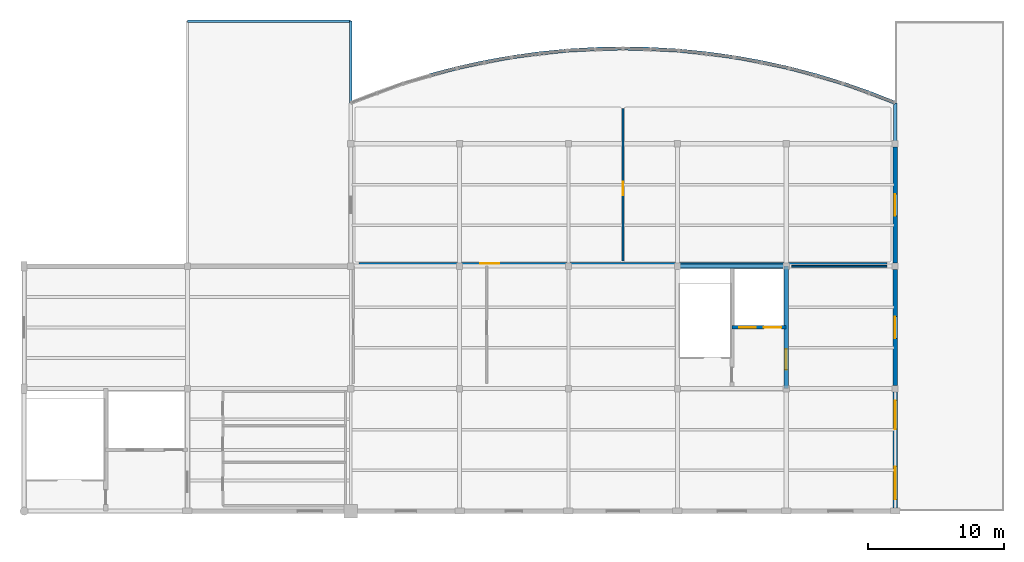
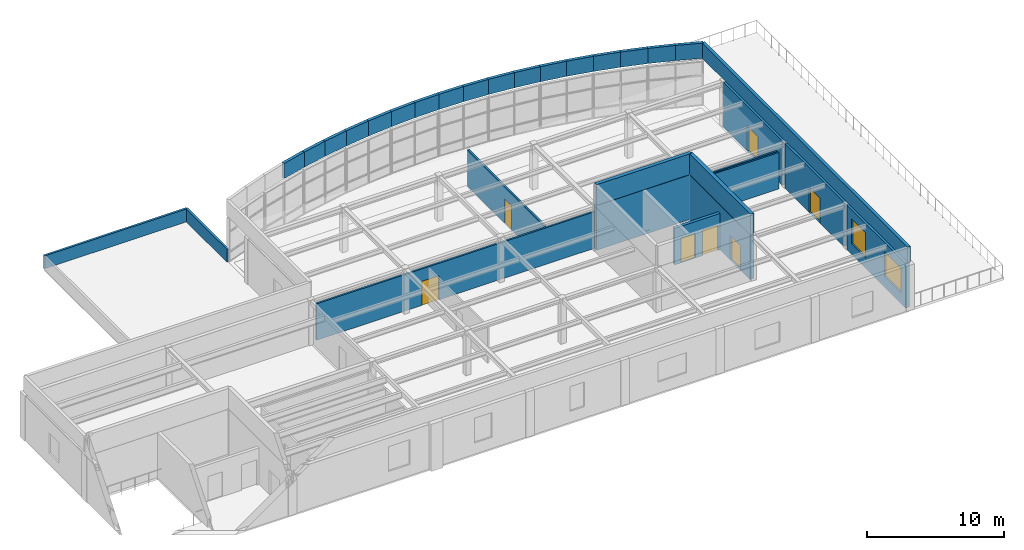
# One storey, part 8 of 9: 31 walls, 7 doors, 2 windows, 9 openings.
"""IFC4 building model written with IfcOpenShell, lengths in metres."""

from ifc_helpers import new_model, si_unit, direction, frame, frame_2d, origin, place, context, subcontext, project, spatial, rectangle, extrude, material, layer, layer_set, type_object, element, fill, save


model = new_model("IFC4")

# Units and contexts
model_context = context("Model", 3, precision=1e-05, world=origin(), true_north=direction((0.0, 1.0)))
body_context = subcontext(model_context, "Body", "Model", "MODEL_VIEW")
ifc_project = project(units=[si_unit("LENGTHUNIT", "METRE"), si_unit("AREAUNIT", "SQUARE_METRE"), si_unit("VOLUMEUNIT", "CUBIC_METRE"), si_unit("PLANEANGLEUNIT", "RADIAN"), si_unit("MASSUNIT", "GRAM", prefix="KILO")], contexts=[model_context])

# Site, building, storey
site_placement = place(None, origin())
site = spatial("IfcSite", under=ifc_project, at=site_placement, CompositionType="ELEMENT")
building_placement = place(site_placement, origin())
building = spatial("IfcBuilding", under=site, at=building_placement, Name="Keelwater Ferry Terminal", CompositionType="ELEMENT")
storey_placement = place(building_placement, frame((0.0, 0.0, 23.699951171875)))
storey = spatial("IfcBuildingStorey", under=building, at=storey_placement, Name="L05", CompositionType="ELEMENT", Elevation=23.699951171875)

# Wall, openings, windows
ifc_material_1 = material(Name="Precast concrete C40/50", Category="concrete")
ifc_layer_1 = layer(ifc_material_1, 0.320068359375)
ifc_layer_set_1 = layer_set([ifc_layer_1], Name="Precast concrete C40/50")
wall_type_1 = type_object("IfcWallType", Name="EW-TC320 External Solid Wall 320", PredefinedType="SOLIDWALL", material=ifc_layer_set_1)
wall_1_placement = place(storey_placement, frame((172.0, 90.22509765625, 0.0), z_axis=(0.0, 0.0, 1.0), x_axis=(0.0, 1.0, 0.0)))
wall_1 = element("IfcWall", 1, at=wall_1_placement, inside=storey, type_object=wall_type_1, Name="External Wall WL-L05-0142", PredefinedType="SOLIDWALL", context=body_context, shape_type="SweptSolid", body=[
    extrude(rectangle(XDim=8.5498046875, YDim=0.320068359375, at=frame_2d((4.27490234375, 0.0))), origin(), (0.0, 0.0, 1.0), 3.97998046875),
])
opening_1_placement = place(wall_1_placement, frame((0.64990234375, 0.0, 0.949951171875)))
opening_1 = element("IfcOpeningElement", 2, at=opening_1_placement, cuts=wall_1, Name="Opening WN-01", PredefinedType="OPENING", context=body_context, shape_type="SweptSolid", body=[
    extrude(rectangle(XDim=2.39990234375, YDim=2.199951171875, at=frame_2d((1.199951171875, 1.10009765625))), frame((0.0, 0.170166015625, 0.0), z_axis=(0.0, -1.0, 0.0), x_axis=(1.0, 0.0, 0.0)), (0.0, 0.0, 1.0), 0.340087890625),
])
opening_2_placement = place(wall_1_placement, frame((5.800048828125, 0.0, 0.949951171875)))
opening_2 = element("IfcOpeningElement", 3, at=opening_2_placement, cuts=wall_1, Name="Opening WN-02", PredefinedType="OPENING", context=body_context, shape_type="SweptSolid", body=[
    extrude(rectangle(XDim=2.10009765625, YDim=2.199951171875, at=frame_2d((1.050048828125, 1.10009765625))), frame((0.0, 0.170166015625, 0.0), z_axis=(0.0, -1.0, 0.0), x_axis=(1.0, 0.0, 0.0)), (0.0, 0.0, 1.0), 0.340087890625),
])
ifc_material_2 = material(Name="Triple low-E glass in thermally broken aluminium frame", Category="aluminium")
window_type_1 = type_object("IfcWindowType", Name="WN-01 Exterior Window 2400x2200", PartitioningType="SINGLE_PANEL", PredefinedType="WINDOW", material=ifc_material_2)
window_1_placement = place(opening_1_placement, origin())
window_1 = element("IfcWindow", 4, at=window_1_placement, inside=storey, type_object=window_type_1, Name="Window WN-L05-0100", OverallHeight=2.199951171875, OverallWidth=2.39990234375, PartitioningType="SINGLE_PANEL", PredefinedType="WINDOW", context=body_context, shape_type="SweptSolid", body=[
    extrude(rectangle(XDim=2.39990234375, YDim=2.199951171875, at=frame_2d((1.199951171875, 1.10009765625))), frame((0.0, 0.030029296875, 0.0), z_axis=(0.0, -1.0, 0.0), x_axis=(1.0, 0.0, 0.0)), (0.0, 0.0, 1.0), 0.06005859375),
])
fill(opening_1, window_1)
ifc_material_3 = material(Name="Triple low-E glass in thermally broken aluminium frame", Category="aluminium")
window_type_2 = type_object("IfcWindowType", Name="WN-02 Exterior Window 2100x2200", PartitioningType="SINGLE_PANEL", PredefinedType="WINDOW", material=ifc_material_3)
window_2_placement = place(opening_2_placement, origin())
window_2 = element("IfcWindow", 5, at=window_2_placement, inside=storey, type_object=window_type_2, Name="Window WN-L05-0101", OverallHeight=2.199951171875, OverallWidth=2.10009765625, PartitioningType="SINGLE_PANEL", PredefinedType="WINDOW", context=body_context, shape_type="SweptSolid", body=[
    extrude(rectangle(XDim=2.10009765625, YDim=2.199951171875, at=frame_2d((1.050048828125, 1.10009765625))), frame((0.0, 0.030029296875, 0.0), z_axis=(0.0, -1.0, 0.0), x_axis=(1.0, 0.0, 0.0)), (0.0, 0.0, 1.0), 0.06005859375),
])
fill(opening_2, window_2)

# Wall, opening, door
wall_2_placement = place(storey_placement, frame((172.0, 99.22509765625, 0.0), z_axis=(0.0, 0.0, 1.0), x_axis=(0.0, 1.0, 0.0)))
wall_2 = element("IfcWall", 6, at=wall_2_placement, inside=storey, type_object=wall_type_1, Name="External Wall WL-L05-0143", PredefinedType="SOLIDWALL", context=body_context, shape_type="SweptSolid", body=[
    extrude(rectangle(XDim=8.5498046875, YDim=0.320068359375, at=frame_2d((4.27490234375, 0.0))), origin(), (0.0, 0.0, 1.0), 3.97998046875),
])
opening_3_placement = place(wall_2_placement, frame((3.47509765625, 0.0, 0.0)))
opening_3 = element("IfcOpeningElement", 7, at=opening_3_placement, cuts=wall_2, Name="Opening TD-12", PredefinedType="OPENING", context=body_context, shape_type="SweptSolid", body=[
    extrude(rectangle(XDim=1.60009765625, YDim=2.199951171875, at=frame_2d((0.800048828125, 1.10009765625))), frame((0.0, 0.170166015625, 0.0), z_axis=(0.0, -1.0, 0.0), x_axis=(1.0, 0.0, 0.0)), (0.0, 0.0, 1.0), 0.340087890625),
])
ifc_material_4 = material(Name="Anodised aluminium and laminated safety glass", Category="aluminium")
door_type_1 = type_object("IfcDoorType", Name="TD-T2 Pedestrian Door 1600x2200", OperationType="DOUBLE_DOOR_SINGLE_SWING", PredefinedType="DOOR", material=ifc_material_4)
door_1_placement = place(opening_3_placement, origin())
door_1 = element("IfcDoor", 8, at=door_1_placement, inside=storey, type_object=door_type_1, Name="Door TD-12", OperationType="DOUBLE_DOOR_SINGLE_SWING", OverallHeight=2.199951171875, OverallWidth=1.60009765625, PredefinedType="DOOR", context=body_context, shape_type="SweptSolid", body=[
    extrude(rectangle(XDim=1.60009765625, YDim=2.199951171875, at=frame_2d((0.800048828125, 1.10009765625))), frame((0.0, 0.02490234375, 0.0), z_axis=(0.0, -1.0, 0.0), x_axis=(1.0, 0.0, 0.0)), (0.0, 0.0, 1.0), 0.050048828125),
])
fill(opening_3, door_1)

wall_3_placement = place(storey_placement, frame((172.0, 108.22509765625, 0.0), z_axis=(0.0, 0.0, 1.0), x_axis=(0.0, 1.0, 0.0)))
wall_3 = element("IfcWall", 9, at=wall_3_placement, inside=storey, type_object=wall_type_1, Name="External Wall WL-L05-0144", PredefinedType="SOLIDWALL", context=body_context, shape_type="SweptSolid", body=[
    extrude(rectangle(XDim=8.5498046875, YDim=0.320068359375, at=frame_2d((4.27490234375, 0.0))), origin(), (0.0, 0.0, 1.0), 3.97998046875),
])
opening_4_placement = place(wall_3_placement, frame((3.47509765625, 0.0, 0.0)))
opening_4 = element("IfcOpeningElement", 10, at=opening_4_placement, cuts=wall_3, Name="Opening TD-13", PredefinedType="OPENING", context=body_context, shape_type="SweptSolid", body=[
    extrude(rectangle(XDim=1.60009765625, YDim=2.199951171875, at=frame_2d((0.800048828125, 1.10009765625))), frame((0.0, 0.170166015625, 0.0), z_axis=(0.0, -1.0, 0.0), x_axis=(1.0, 0.0, 0.0)), (0.0, 0.0, 1.0), 0.340087890625),
])
door_2_placement = place(opening_4_placement, origin())
door_2 = element("IfcDoor", 11, at=door_2_placement, inside=storey, type_object=door_type_1, Name="Door TD-13", OperationType="DOUBLE_DOOR_SINGLE_SWING", OverallHeight=2.199951171875, OverallWidth=1.60009765625, PredefinedType="DOOR", context=body_context, shape_type="SweptSolid", body=[
    extrude(rectangle(XDim=1.60009765625, YDim=2.199951171875, at=frame_2d((0.800048828125, 1.10009765625))), frame((0.0, 0.02490234375, 0.0), z_axis=(0.0, -1.0, 0.0), x_axis=(1.0, 0.0, 0.0)), (0.0, 0.0, 1.0), 0.050048828125),
])
fill(opening_4, door_2)

# Wall, openings, doors
ifc_material_5 = material(Name="Concrete C40/50", Category="concrete")
ifc_layer_2 = layer(ifc_material_5, 0.25)
ifc_layer_set_2 = layer_set([ifc_layer_2], Name="Concrete C40/50")
wall_type_2 = type_object("IfcWallType", Name="IW-250 Solid Wall 250", PredefinedType="SOLIDWALL", material=ifc_layer_set_2)
wall_4_placement = place(storey_placement, frame((164.0, 103.5, 0.0), z_axis=(0.0, 0.0, 1.0), x_axis=(-1.0, 0.0, 0.0)))
wall_4 = element("IfcWall", 12, at=wall_4_placement, inside=storey, type_object=wall_type_2, Name="Interior Wall WL-INT-L05-0090", PredefinedType="SOLIDWALL", context=body_context, shape_type="SweptSolid", body=[
    extrude(rectangle(XDim=4.0, YDim=0.25, at=frame_2d((2.0, 0.0))), origin(), (0.0, 0.0, 1.0), 3.25),
])
opening_5_placement = place(wall_4_placement, frame((0.35009765625, 0.0, 0.0)))
opening_5 = element("IfcOpeningElement", 13, at=opening_5_placement, cuts=wall_4, Name="Opening LD-029", PredefinedType="OPENING", context=body_context, shape_type="SweptSolid", body=[
    extrude(rectangle(XDim=1.300048828125, YDim=2.25, at=frame_2d((0.64990234375, 1.125))), frame((0.0, 0.135009765625, 0.0), z_axis=(0.0, -1.0, 0.0), x_axis=(1.0, 0.0, 0.0)), (0.0, 0.0, 1.0), 0.27001953125),
])
opening_6_placement = place(wall_4_placement, frame((2.25, 0.0, 0.0)))
opening_6 = element("IfcOpeningElement", 14, at=opening_6_placement, cuts=wall_4, Name="Opening LD-030", PredefinedType="OPENING", context=body_context, shape_type="SweptSolid", body=[
    extrude(rectangle(XDim=1.199951171875, YDim=2.199951171875, at=frame_2d((0.60009765625, 1.10009765625))), frame((0.0, 0.135009765625, 0.0), z_axis=(0.0, -1.0, 0.0), x_axis=(1.0, 0.0, 0.0)), (0.0, 0.0, 1.0), 0.27001953125),
])
ifc_material_6 = material(Name="Stainless steel sliding landing doors", Category="steel")
door_type_2 = type_object("IfcDoorType", Name="LD-T2 Lift Landing Door 1200x2200", OperationType="DOUBLE_DOOR_SLIDING", PredefinedType="USERDEFINED", material=ifc_material_6)
door_3_placement = place(opening_6_placement, origin())
door_3 = element("IfcDoor", 15, at=door_3_placement, inside=storey, type_object=door_type_2, Name="Door LD-030", ObjectType="LANDING DOOR", OperationType="DOUBLE_DOOR_SLIDING", OverallHeight=2.199951171875, OverallWidth=1.199951171875, PredefinedType="USERDEFINED", context=body_context, shape_type="SweptSolid", body=[
    extrude(rectangle(XDim=1.199951171875, YDim=2.199951171875, at=frame_2d((0.60009765625, 1.10009765625))), frame((0.0, 0.02490234375, 0.0), z_axis=(0.0, -1.0, 0.0), x_axis=(1.0, 0.0, 0.0)), (0.0, 0.0, 1.0), 0.050048828125),
])
fill(opening_6, door_3)
ifc_material_7 = material(Name="Stainless steel sliding landing doors", Category="steel")
door_type_3 = type_object("IfcDoorType", Name="LD-T3 Lift Landing Door 1300x2250", OperationType="DOUBLE_DOOR_SLIDING", PredefinedType="USERDEFINED", material=ifc_material_7)
door_4_placement = place(opening_5_placement, origin())
door_4 = element("IfcDoor", 16, at=door_4_placement, inside=storey, type_object=door_type_3, Name="Door LD-029", ObjectType="LANDING DOOR", OperationType="DOUBLE_DOOR_SLIDING", OverallHeight=2.25, OverallWidth=1.300048828125, PredefinedType="USERDEFINED", context=body_context, shape_type="SweptSolid", body=[
    extrude(rectangle(XDim=1.300048828125, YDim=2.25, at=frame_2d((0.64990234375, 1.125))), frame((0.0, 0.02490234375, 0.0), z_axis=(0.0, -1.0, 0.0), x_axis=(1.0, 0.0, 0.0)), (0.0, 0.0, 1.0), 0.050048828125),
])
fill(opening_5, door_4)

# Wall
ifc_material_8 = material(Name="Gypsum board on acoustic steel stud", Category="steel")
ifc_layer_3 = layer(ifc_material_8, 0.125)
ifc_layer_set_3 = layer_set([ifc_layer_3], Name="Gypsum board on acoustic steel stud")
wall_type_3 = type_object("IfcWallType", Name="PT-125 Partition Wall 125", PredefinedType="PARTITIONING", material=ifc_layer_set_3)
wall_5_placement = place(storey_placement, frame((164.39990234375, 108.0, 0.0), z_axis=(0.0, 0.0, 1.0), x_axis=(1.0, 0.0, 0.0)))
element("IfcWall", 17, at=wall_5_placement, inside=storey, type_object=wall_type_3, Name="Interior Wall WL-INT-L05-0276", PredefinedType="PARTITIONING", context=body_context, shape_type="SweptSolid", body=[
    extrude(rectangle(XDim=7.0, YDim=0.125, at=frame_2d((3.5, 0.0))), origin(), (0.0, 0.0, 1.0), 3.25),
])

# Wall, opening, door
ifc_material_9 = material(Name="Gypsum board on acoustic steel stud", Category="steel")
ifc_layer_4 = layer(ifc_material_9, 0.14990234375)
ifc_layer_set_4 = layer_set([ifc_layer_4], Name="Gypsum board on acoustic steel stud")
wall_type_4 = type_object("IfcWallType", Name="PT-150 Partition Wall 150", PredefinedType="PARTITIONING", material=ifc_layer_set_4)
wall_6_placement = place(storey_placement, frame((152.0, 108.39990234375, 0.0), z_axis=(0.0, 0.0, 1.0), x_axis=(0.0, 1.0, 0.0)))
wall_6 = element("IfcWall", 18, at=wall_6_placement, inside=storey, type_object=wall_type_4, Name="Interior Wall WL-INT-L05-0272", PredefinedType="PARTITIONING", context=body_context, shape_type="SweptSolid", body=[
    extrude(rectangle(XDim=11.2001953125, YDim=0.14990234375, at=frame_2d((5.60009765625, 0.0))), origin(), (0.0, 0.0, 1.0), 3.25),
])
opening_7_placement = place(wall_6_placement, frame((4.800048828125, 0.0, 0.0)))
opening_7 = element("IfcOpeningElement", 19, at=opening_7_placement, cuts=wall_6, Name="Opening DR-054", PredefinedType="OPENING", context=body_context, shape_type="SweptSolid", body=[
    extrude(rectangle(XDim=1.0, YDim=2.14990234375, at=frame_2d((0.5, 1.074951171875))), frame((0.0, 0.0849609375, 0.0), z_axis=(0.0, -1.0, 0.0), x_axis=(1.0, 0.0, 0.0)), (0.0, 0.0, 1.0), 0.169921875),
])
ifc_material_10 = material(Name="Acoustic oak and fire-rated steel frame door", Category="steel")
door_type_4 = type_object("IfcDoorType", Name="ID-07 Pedestrian Door 1000x2150", OperationType="NOTDEFINED", PredefinedType="DOOR", material=ifc_material_10)
door_5_placement = place(opening_7_placement, origin())
door_5 = element("IfcDoor", 20, at=door_5_placement, inside=storey, type_object=door_type_4, Name="Door DR-054", OperationType="SINGLE_SWING_LEFT", OverallHeight=2.14990234375, OverallWidth=1.0, PredefinedType="DOOR", context=body_context, shape_type="SweptSolid", body=[
    extrude(rectangle(XDim=1.0, YDim=2.14990234375, at=frame_2d((0.5, 1.074951171875))), frame((0.0, 0.02490234375, 0.0), z_axis=(0.0, -1.0, 0.0), x_axis=(1.0, 0.0, 0.0)), (0.0, 0.0, 1.0), 0.050048828125),
])
fill(opening_7, door_5)

wall_7_placement = place(storey_placement, frame((132.60009765625, 108.199951171875, 0.0), z_axis=(0.0, 0.0, 1.0), x_axis=(1.0, 0.0, 0.0)))
wall_7 = element("IfcWall", 21, at=wall_7_placement, inside=storey, type_object=wall_type_4, Name="Interior Wall WL-INT-L05-0273", PredefinedType="PARTITIONING", context=body_context, shape_type="SweptSolid", body=[
    extrude(rectangle(XDim=38.7998046875, YDim=0.14990234375, at=frame_2d((19.39990234375, 0.0))), origin(), (0.0, 0.0, 1.0), 3.25),
])
opening_8_placement = place(wall_7_placement, frame((8.89990234375, 0.0, 0.0)))
opening_8 = element("IfcOpeningElement", 22, at=opening_8_placement, cuts=wall_7, Name="Opening DR-055", PredefinedType="OPENING", context=body_context, shape_type="SweptSolid", body=[
    extrude(rectangle(XDim=1.39990234375, YDim=2.14990234375, at=frame_2d((0.699951171875, 1.074951171875))), frame((0.0, 0.0849609375, 0.0), z_axis=(0.0, -1.0, 0.0), x_axis=(1.0, 0.0, 0.0)), (0.0, 0.0, 1.0), 0.169921875),
])
ifc_material_11 = material(Name="Acoustic oak and fire-rated steel frame door", Category="steel")
door_type_5 = type_object("IfcDoorType", Name="ID-03 Pedestrian Door 1400x2150", OperationType="DOUBLE_DOOR_SINGLE_SWING", PredefinedType="DOOR", material=ifc_material_11)
door_6_placement = place(opening_8_placement, origin())
door_6 = element("IfcDoor", 23, at=door_6_placement, inside=storey, type_object=door_type_5, Name="Door DR-055", OperationType="DOUBLE_DOOR_SINGLE_SWING", OverallHeight=2.14990234375, OverallWidth=1.39990234375, PredefinedType="DOOR", context=body_context, shape_type="SweptSolid", body=[
    extrude(rectangle(XDim=1.39990234375, YDim=2.14990234375, at=frame_2d((0.699951171875, 1.074951171875))), frame((0.0, 0.02490234375, 0.0), z_axis=(0.0, -1.0, 0.0), x_axis=(1.0, 0.0, 0.0)), (0.0, 0.0, 1.0), 0.050048828125),
])
fill(opening_8, door_6)

# Walls
ifc_material_12 = material(Name="Precast concrete C40/50", Category="concrete")
ifc_layer_5 = layer(ifc_material_12, 0.179931640625)
ifc_layer_set_5 = layer_set([ifc_layer_5], Name="Precast concrete C40/50")
wall_type_5 = type_object("IfcWallType", Name="PW-180 Roof Parapet 180", PredefinedType="PARAPET", material=ifc_layer_set_5)
wall_8_placement = place(storey_placement, frame((120.0, 126.0, 0.0), z_axis=(0.0, 0.0, 1.0), x_axis=(1.0, 0.0, 0.0)))
element("IfcWall", 24, at=wall_8_placement, inside=storey, type_object=wall_type_5, Name="Roof Parapet 5", PredefinedType="PARAPET", context=body_context, shape_type="SweptSolid", body=[
    extrude(rectangle(XDim=12.0, YDim=0.179931640625, at=frame_2d((6.0, 0.0))), origin(), (0.0, 0.0, 1.0), 1.150146484375),
])
wall_9_placement = place(storey_placement, frame((132.0, 126.0, 0.0), z_axis=(0.0, 0.0, 1.0), x_axis=(0.0, -1.0, 0.0)))
element("IfcWall", 25, at=wall_9_placement, inside=storey, type_object=wall_type_5, Name="Roof Parapet 6", PredefinedType="PARAPET", context=body_context, shape_type="SweptSolid", body=[
    extrude(rectangle(XDim=6.0, YDim=0.179931640625, at=frame_2d((3.0, 0.0))), origin(), (0.0, 0.0, 1.0), 1.150146484375),
])
ifc_material_13 = material(Name="Precast concrete C40/50", Category="concrete")
ifc_layer_6 = layer(ifc_material_13, 0.25)
ifc_layer_set_6 = layer_set([ifc_layer_6], Name="Precast concrete C40/50")
wall_type_6 = type_object("IfcWallType", Name="PW-250 Roof Parapet 250", PredefinedType="PARAPET", material=ifc_layer_set_6)
wall_10_placement = place(storey_placement, frame((172.0, 90.0, 4.199951171875), z_axis=(0.0, 0.0, 1.0), x_axis=(0.0, 1.0, 0.0)))
element("IfcWall", 26, at=wall_10_placement, inside=storey, type_object=wall_type_6, Name="Roof Parapet 27", PredefinedType="PARAPET", context=body_context, shape_type="SweptSolid", body=[
    extrude(rectangle(XDim=30.0, YDim=0.25, at=frame_2d((15.0, 0.0))), origin(), (0.0, 0.0, 1.0), 1.35009765625),
])
for number, where, z_axis, x_axis, name in (
    (27, (172.0, 120.0, 4.199951171875), (0.0, 0.0, 1.0), (-0.930480893113, 0.366340425769, 0.0), "Roof Parapet 28"),
    (28, (170.090087890625, 120.751953125, 4.199951171875), (0.0, 0.0, 1.0), (-0.944202762238, 0.329364757954, 0.0), "Roof Parapet 29"),
):
    element("IfcWall", number, at=place(storey_placement, frame(where, z_axis=z_axis, x_axis=x_axis)), inside=storey, type_object=wall_type_6, Name=name, PredefinedType="PARAPET", context=body_context, shape_type="SweptSolid", body=[
        extrude(rectangle(XDim=2.052490234375, YDim=0.25, at=frame_2d((1.0263671875, 0.0))), origin(), (0.0, 0.0, 1.0), 1.35009765625),
    ])
wall_11_placement = place(storey_placement, frame((168.152099609375, 121.427978515625, 4.199951171875), z_axis=(0.0, 0.0, 1.0), x_axis=(-0.956490827553, 0.291762397864, 0.0)))
element("IfcWall", 29, at=wall_11_placement, inside=storey, type_object=wall_type_6, Name="Roof Parapet 30", PredefinedType="PARAPET", context=body_context, shape_type="SweptSolid", body=[
    extrude(rectangle(XDim=2.053466796875, YDim=0.25, at=frame_2d((1.02685546875, 0.0))), origin(), (0.0, 0.0, 1.0), 1.35009765625),
])
wall_12_placement = place(storey_placement, frame((166.18798828125, 122.027099609375, 4.199951171875), z_axis=(0.0, 0.0, 1.0), x_axis=(-0.967242284582, 0.253855003726, 0.0)))
element("IfcWall", 30, at=wall_12_placement, inside=storey, type_object=wall_type_6, Name="Roof Parapet 31", PredefinedType="PARAPET", context=body_context, shape_type="SweptSolid", body=[
    extrude(rectangle(XDim=2.05224609375, YDim=0.25, at=frame_2d((1.026123046875, 0.0))), origin(), (0.0, 0.0, 1.0), 1.35009765625),
])
wall_13_placement = place(storey_placement, frame((164.202880859375, 122.548095703125, 4.199951171875), z_axis=(0.0, 0.0, 1.0), x_axis=(-0.976560545795, 0.215242886981, 0.0)))
element("IfcWall", 31, at=wall_13_placement, inside=storey, type_object=wall_type_6, Name="Roof Parapet 32", PredefinedType="PARAPET", context=body_context, shape_type="SweptSolid", body=[
    extrude(rectangle(XDim=2.052978515625, YDim=0.25, at=frame_2d((1.0263671875, 0.0))), origin(), (0.0, 0.0, 1.0), 1.35009765625),
])
wall_14_placement = place(storey_placement, frame((162.197998046875, 122.989990234375, 4.199951171875), z_axis=(0.0, 0.0, 1.0), x_axis=(-0.98423140419, 0.176885677789, 0.0)))
element("IfcWall", 32, at=wall_14_placement, inside=storey, type_object=wall_type_6, Name="Roof Parapet 33", PredefinedType="PARAPET", context=body_context, shape_type="SweptSolid", body=[
    extrude(rectangle(XDim=2.052490234375, YDim=0.25, at=frame_2d((1.0263671875, 0.0))), origin(), (0.0, 0.0, 1.0), 1.35009765625),
])
wall_15_placement = place(storey_placement, frame((160.177978515625, 123.35302734375, 4.199951171875), z_axis=(0.0, 0.0, 1.0), x_axis=(-0.990461198306, 0.137791925199, 0.0)))
element("IfcWall", 33, at=wall_15_placement, inside=storey, type_object=wall_type_6, Name="Roof Parapet 34", PredefinedType="PARAPET", context=body_context, shape_type="SweptSolid", body=[
    extrude(rectangle(XDim=2.053466796875, YDim=0.25, at=frame_2d((1.02685546875, 0.0))), origin(), (0.0, 0.0, 1.0), 1.35009765625),
])
wall_16_placement = place(storey_placement, frame((158.14404296875, 123.635986328125, 4.199951171875), z_axis=(0.0, 0.0, 1.0), x_axis=(-0.995147307759, 0.098396320363, 0.0)))
element("IfcWall", 34, at=wall_16_placement, inside=storey, type_object=wall_type_6, Name="Roof Parapet 35", PredefinedType="PARAPET", context=body_context, shape_type="SweptSolid", body=[
    extrude(rectangle(XDim=2.052001953125, YDim=0.25, at=frame_2d((1.02587890625, 0.0))), origin(), (0.0, 0.0, 1.0), 1.35009765625),
])
wall_17_placement = place(storey_placement, frame((156.10205078125, 123.837890625, 4.199951171875), z_axis=(0.0, 0.0, 1.0), x_axis=(-0.998259995436, 0.058965935184, 0.0)))
element("IfcWall", 35, at=wall_17_placement, inside=storey, type_object=wall_type_6, Name="Roof Parapet 36", PredefinedType="PARAPET", context=body_context, shape_type="SweptSolid", body=[
    extrude(rectangle(XDim=2.0537109375, YDim=0.25, at=frame_2d((1.02685546875, 0.0))), origin(), (0.0, 0.0, 1.0), 1.35009765625),
])
for number, where, z_axis, x_axis, name in (
    (36, (154.052001953125, 123.958984375, 4.199951171875), (0.0, 0.0, 1.0), (-0.99980029772, 0.01998411065, 0.0), "Roof Parapet 37"),
    (37, (152.0, 124.0, 4.199951171875), (0.0, 0.0, 1.0), (-0.99980029772, -0.01998411065, 0.0), "Roof Parapet 38"),
):
    element("IfcWall", number, at=place(storey_placement, frame(where, z_axis=z_axis, x_axis=x_axis)), inside=storey, type_object=wall_type_6, Name=name, PredefinedType="PARAPET", context=body_context, shape_type="SweptSolid", body=[
        extrude(rectangle(XDim=2.052490234375, YDim=0.25, at=frame_2d((1.0263671875, 0.0))), origin(), (0.0, 0.0, 1.0), 1.35009765625),
    ])
wall_18_placement = place(storey_placement, frame((149.947998046875, 123.958984375, 4.199951171875), z_axis=(0.0, 0.0, 1.0), x_axis=(-0.998259995436, -0.058965935184, 0.0)))
element("IfcWall", 38, at=wall_18_placement, inside=storey, type_object=wall_type_6, Name="Roof Parapet 39", PredefinedType="PARAPET", context=body_context, shape_type="SweptSolid", body=[
    extrude(rectangle(XDim=2.0537109375, YDim=0.25, at=frame_2d((1.02685546875, 0.0))), origin(), (0.0, 0.0, 1.0), 1.35009765625),
])
wall_19_placement = place(storey_placement, frame((147.89794921875, 123.837890625, 4.199951171875), z_axis=(0.0, 0.0, 1.0), x_axis=(-0.995147307759, -0.098396320363, 0.0)))
element("IfcWall", 39, at=wall_19_placement, inside=storey, type_object=wall_type_6, Name="Roof Parapet 40", PredefinedType="PARAPET", context=body_context, shape_type="SweptSolid", body=[
    extrude(rectangle(XDim=2.052001953125, YDim=0.25, at=frame_2d((1.02587890625, 0.0))), origin(), (0.0, 0.0, 1.0), 1.35009765625),
])
wall_20_placement = place(storey_placement, frame((145.85595703125, 123.635986328125, 4.199951171875), z_axis=(0.0, 0.0, 1.0), x_axis=(-0.990461198306, -0.137791925199, 0.0)))
element("IfcWall", 40, at=wall_20_placement, inside=storey, type_object=wall_type_6, Name="Roof Parapet 41", PredefinedType="PARAPET", context=body_context, shape_type="SweptSolid", body=[
    extrude(rectangle(XDim=2.053466796875, YDim=0.25, at=frame_2d((1.02685546875, 0.0))), origin(), (0.0, 0.0, 1.0), 1.35009765625),
])
wall_21_placement = place(storey_placement, frame((143.822021484375, 123.35302734375, 4.199951171875), z_axis=(0.0, 0.0, 1.0), x_axis=(-0.98423140419, -0.176885677789, 0.0)))
element("IfcWall", 41, at=wall_21_placement, inside=storey, type_object=wall_type_6, Name="Roof Parapet 42", PredefinedType="PARAPET", context=body_context, shape_type="SweptSolid", body=[
    extrude(rectangle(XDim=2.052490234375, YDim=0.25, at=frame_2d((1.0263671875, 0.0))), origin(), (0.0, 0.0, 1.0), 1.35009765625),
])
wall_22_placement = place(storey_placement, frame((141.802001953125, 122.989990234375, 4.199951171875), z_axis=(0.0, 0.0, 1.0), x_axis=(-0.976560545795, -0.215242886981, 0.0)))
element("IfcWall", 42, at=wall_22_placement, inside=storey, type_object=wall_type_6, Name="Roof Parapet 43", PredefinedType="PARAPET", context=body_context, shape_type="SweptSolid", body=[
    extrude(rectangle(XDim=2.052978515625, YDim=0.25, at=frame_2d((1.0263671875, 0.0))), origin(), (0.0, 0.0, 1.0), 1.35009765625),
])
wall_23_placement = place(storey_placement, frame((139.797119140625, 122.548095703125, 4.199951171875), z_axis=(0.0, 0.0, 1.0), x_axis=(-0.967242284582, -0.253855003726, 0.0)))
element("IfcWall", 43, at=wall_23_placement, inside=storey, type_object=wall_type_6, Name="Roof Parapet 44", PredefinedType="PARAPET", context=body_context, shape_type="SweptSolid", body=[
    extrude(rectangle(XDim=2.05224609375, YDim=0.25, at=frame_2d((1.026123046875, 0.0))), origin(), (0.0, 0.0, 1.0), 1.35009765625),
])
ifc_material_14 = material(Name="Concrete C45/55", Category="concrete")
ifc_layer_7 = layer(ifc_material_14, 0.300048828125)
ifc_layer_set_7 = layer_set([ifc_layer_7], Name="Concrete C45/55")
wall_type_7 = type_object("IfcWallType", Name="SW-300 Shear Wall 300", PredefinedType="SHEAR", material=ifc_layer_set_7)
wall_24_placement = place(storey_placement, frame((156.0, 108.0, 3.97998046875), z_axis=(0.0, 0.0, 1.0), x_axis=(1.0, 0.0, 0.0)))
element("IfcWall", 44, at=wall_24_placement, inside=storey, type_object=wall_type_7, Name="Interior Wall WL-INT-L05-0120", PredefinedType="SHEAR", context=body_context, shape_type="SweptSolid", body=[
    extrude(rectangle(XDim=8.0, YDim=0.300048828125, at=frame_2d((4.0, 0.0))), origin(), (0.0, 0.0, 1.0), 1.840087890625),
])
wall_25_placement = place(storey_placement, frame((164.0, 99.0, 3.97998046875), z_axis=(0.0, 0.0, 1.0), x_axis=(0.0, 1.0, 0.0)))
element("IfcWall", 45, at=wall_25_placement, inside=storey, type_object=wall_type_7, Name="Interior Wall WL-INT-L05-0122", PredefinedType="SHEAR", context=body_context, shape_type="SweptSolid", body=[
    extrude(rectangle(XDim=9.0, YDim=0.300048828125, at=frame_2d((4.5, 0.0))), origin(), (0.0, 0.0, 1.0), 1.840087890625),
])
ifc_material_15 = material(Name="Concrete C45/55", Category="concrete")
ifc_layer_8 = layer(ifc_material_15, 0.35009765625)
ifc_layer_set_8 = layer_set([ifc_layer_8], Name="Concrete C45/55")
wall_type_8 = type_object("IfcWallType", Name="SW-350 Shear Wall 350", PredefinedType="SHEAR", material=ifc_layer_set_8)
wall_26_placement = place(storey_placement, frame((156.0, 108.0, 0.0), z_axis=(0.0, 0.0, 1.0), x_axis=(1.0, 0.0, 0.0)))
element("IfcWall", 46, at=wall_26_placement, inside=storey, type_object=wall_type_8, Name="Interior Wall WL-INT-L05-0086", PredefinedType="SHEAR", context=body_context, shape_type="SweptSolid", body=[
    extrude(rectangle(XDim=8.0, YDim=0.35009765625, at=frame_2d((4.0, 0.0))), origin(), (0.0, 0.0, 1.0), 3.97998046875),
])

# Wall, opening, door
wall_27_placement = place(storey_placement, frame((164.0, 99.0, 0.0), z_axis=(0.0, 0.0, 1.0), x_axis=(0.0, 1.0, 0.0)))
wall_27 = element("IfcWall", 47, at=wall_27_placement, inside=storey, type_object=wall_type_8, Name="Interior Wall WL-INT-L05-0088", PredefinedType="SHEAR", context=body_context, shape_type="SweptSolid", body=[
    extrude(rectangle(XDim=9.0, YDim=0.35009765625, at=frame_2d((4.5, 0.0))), origin(), (0.0, 0.0, 1.0), 3.97998046875),
])
opening_9_placement = place(wall_27_placement, frame((1.39990234375, 0.0, 0.0)))
opening_9 = element("IfcOpeningElement", 48, at=opening_9_placement, cuts=wall_27, Name="Opening FD-030", PredefinedType="OPENING", context=body_context, shape_type="SweptSolid", body=[
    extrude(rectangle(XDim=1.5, YDim=2.199951171875, at=frame_2d((0.75, 1.10009765625))), frame((0.0, 0.18505859375, 0.0), z_axis=(0.0, -1.0, 0.0), x_axis=(1.0, 0.0, 0.0)), (0.0, 0.0, 1.0), 0.3701171875),
])
ifc_material_16 = material(Name="Acoustic oak and fire-rated steel frame door", Category="steel")
door_type_6 = type_object("IfcDoorType", Name="ID-02 Pedestrian Door 1500x2200", OperationType="DOUBLE_DOOR_SINGLE_SWING", PredefinedType="DOOR", material=ifc_material_16)
door_7_placement = place(opening_9_placement, origin())
door_7 = element("IfcDoor", 49, at=door_7_placement, inside=storey, type_object=door_type_6, Name="Door FD-030", OperationType="DOUBLE_DOOR_SINGLE_SWING", OverallHeight=2.199951171875, OverallWidth=1.5, PredefinedType="DOOR", context=body_context, shape_type="SweptSolid", body=[
    extrude(rectangle(XDim=1.5, YDim=2.199951171875, at=frame_2d((0.75, 1.10009765625))), frame((0.0, 0.02490234375, 0.0), z_axis=(0.0, -1.0, 0.0), x_axis=(1.0, 0.0, 0.0)), (0.0, 0.0, 1.0), 0.050048828125),
])
fill(opening_9, door_7)

save(model, "model.ifc")
